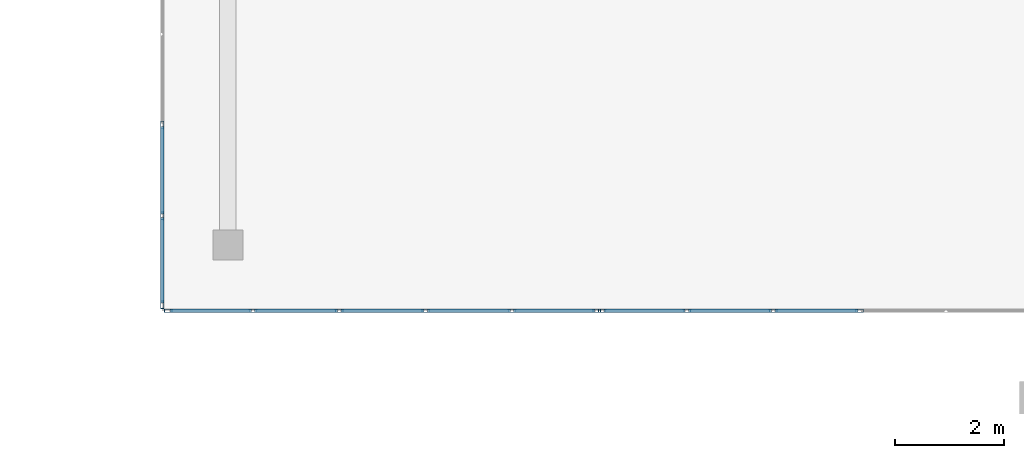
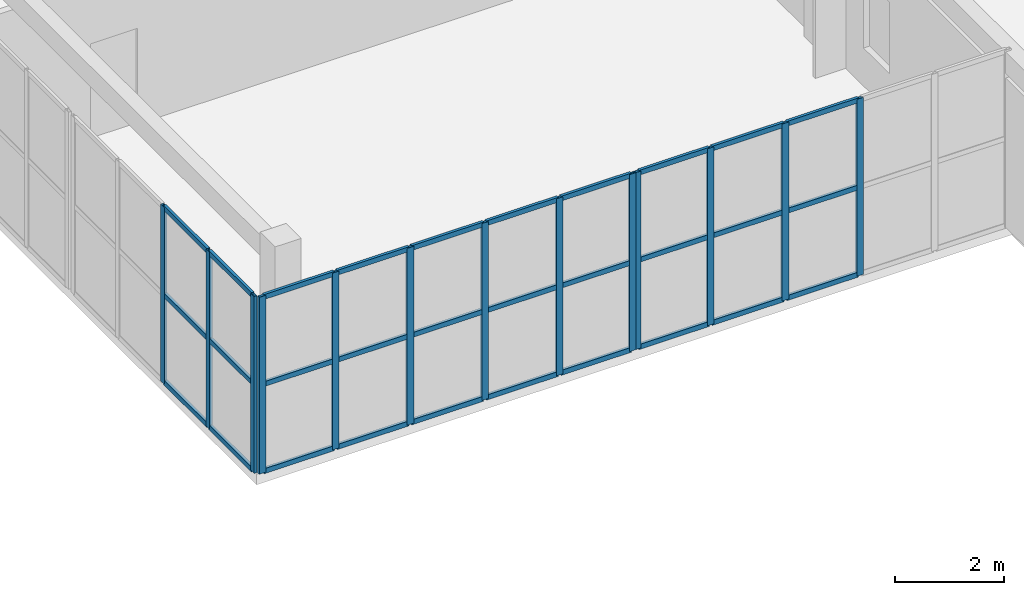
# One storey, part 14 of 81: 43 members, 3 elements without a shape of their own.
"""IFC4 building model written with IfcOpenShell, lengths in metres."""

from ifc_helpers import new_model, si_unit, direction, frame, origin, origin_2d, place, context, subcontext, project, spatial, hollow_rectangle, extrude, material, layer, layer_set, material_profile, profile_set, type_object, element, aggregate, save


model = new_model("IFC4")

# Units and contexts
model_context = context("Model", 3, precision=1e-05, world=origin(), true_north=direction((0.0, 1.0)))
body_context = subcontext(model_context, "Body", "Model", "MODEL_VIEW")
ifc_project = project(units=[si_unit("LENGTHUNIT", "METRE"), si_unit("AREAUNIT", "SQUARE_METRE"), si_unit("VOLUMEUNIT", "CUBIC_METRE"), si_unit("PLANEANGLEUNIT", "RADIAN"), si_unit("MASSUNIT", "GRAM", prefix="KILO")], contexts=[model_context])

# Site, building, storey
site_placement = place(None, origin())
site = spatial("IfcSite", under=ifc_project, at=site_placement, CompositionType="ELEMENT")
building_placement = place(site_placement, origin())
building = spatial("IfcBuilding", under=site, at=building_placement, Name="Trelvath General Hospital", CompositionType="ELEMENT")
storey_placement = place(building_placement, frame((0.0, 0.0, 24.60009765625)))
storey = spatial("IfcBuildingStorey", under=building, at=storey_placement, Name="L06", CompositionType="ELEMENT", Elevation=24.60009765625)

# Curtain wall, members
ifc_material_1 = material(Name="Anodised aluminium and low-E glass", Category="aluminium")
ifc_layer_1 = layer(ifc_material_1, 0.139892578125)
ifc_layer_set_1 = layer_set([ifc_layer_1], Name="Anodised aluminium and low-E glass")
curtain_wall_type_1 = type_object("IfcCurtainWallType", Name="CW CrystalCube 790 396 14", PredefinedType="USERDEFINED", material=ifc_layer_set_1)
curtain_wall_1_placement = place(storey_placement, origin())
curtain_wall_1 = element("IfcCurtainWall", 1, at=curtain_wall_1_placement, inside=storey, type_object=curtain_wall_type_1, Name="Crystal Cube Curtain Wall CUBE-W-T2 S1 L06", ObjectType="Unitised Glazed Curtain Wall", PredefinedType="USERDEFINED")
ifc_material_2 = material(Name="Anodised aluminium", Category="aluminium")
ifc_material_profile_1 = material_profile(ifc_material_2, hollow_rectangle(XDim=0.06005859375, YDim=0.139892578125, WallThickness=0.00390625, at=origin_2d()), Name="RHS60x140x4")
ifc_profile_set_1 = profile_set([ifc_material_profile_1], Name="Anodised aluminium")
member_type_1 = type_object("IfcMemberType", Name="CurtainMullion 60x140", PredefinedType="MULLION", material=ifc_profile_set_1)
member_1_placement = place(storey_placement, frame((67.550048828125, 43.60009765625, 0.0), z_axis=(0.0, 0.0, 1.0), x_axis=(0.0, -1.0, 0.0)))
member_1 = element("IfcMember", 2, at=member_1_placement, type_object=member_type_1, Name="CW-324 mullion 1", PredefinedType="MULLION", context=body_context, shape_type="SweptSolid", body=[
    extrude(hollow_rectangle(XDim=0.06005859375, YDim=0.139892578125, WallThickness=0.00390625, at=origin_2d()), origin(), (0.0, 0.0, 1.0), 3.9599609375),
])
member_2_placement = place(storey_placement, frame((66.0, 43.60009765625, 0.0), z_axis=(0.0, 0.0, 1.0), x_axis=(0.0, -1.0, 0.0)))
member_2 = element("IfcMember", 3, at=member_2_placement, type_object=member_type_1, Name="CW-324 mullion 2", PredefinedType="MULLION", context=body_context, shape_type="SweptSolid", body=[
    extrude(hollow_rectangle(XDim=0.06005859375, YDim=0.139892578125, WallThickness=0.00390625, at=origin_2d()), origin(), (0.0, 0.0, 1.0), 3.9599609375),
])
member_3_placement = place(storey_placement, frame((64.419921875, 43.60009765625, 0.0), z_axis=(0.0, 0.0, 1.0), x_axis=(0.0, -1.0, 0.0)))
member_3 = element("IfcMember", 4, at=member_3_placement, type_object=member_type_1, Name="CW-324 mullion 3", PredefinedType="MULLION", context=body_context, shape_type="SweptSolid", body=[
    extrude(hollow_rectangle(XDim=0.06005859375, YDim=0.139892578125, WallThickness=0.00390625, at=origin_2d()), origin(), (0.0, 0.0, 1.0), 3.9599609375),
])
member_4_placement = place(storey_placement, frame((62.840087890625, 43.60009765625, 0.0), z_axis=(0.0, 0.0, 1.0), x_axis=(0.0, -1.0, 0.0)))
member_4 = element("IfcMember", 5, at=member_4_placement, type_object=member_type_1, Name="CW-324 mullion 4", PredefinedType="MULLION", context=body_context, shape_type="SweptSolid", body=[
    extrude(hollow_rectangle(XDim=0.06005859375, YDim=0.139892578125, WallThickness=0.00390625, at=origin_2d()), origin(), (0.0, 0.0, 1.0), 3.9599609375),
])
member_5_placement = place(storey_placement, frame((61.260009765625, 43.60009765625, 0.0), z_axis=(0.0, 0.0, 1.0), x_axis=(0.0, -1.0, 0.0)))
member_5 = element("IfcMember", 6, at=member_5_placement, type_object=member_type_1, Name="CW-324 mullion 5", PredefinedType="MULLION", context=body_context, shape_type="SweptSolid", body=[
    extrude(hollow_rectangle(XDim=0.06005859375, YDim=0.139892578125, WallThickness=0.00390625, at=origin_2d()), origin(), (0.0, 0.0, 1.0), 3.9599609375),
])
member_6_placement = place(storey_placement, frame((59.7099609375, 43.60009765625, 0.0), z_axis=(0.0, 0.0, 1.0), x_axis=(0.0, -1.0, 0.0)))
member_6 = element("IfcMember", 7, at=member_6_placement, type_object=member_type_1, Name="CW-324 mullion 6", PredefinedType="MULLION", context=body_context, shape_type="SweptSolid", body=[
    extrude(hollow_rectangle(XDim=0.06005859375, YDim=0.139892578125, WallThickness=0.00390625, at=origin_2d()), origin(), (0.0, 0.0, 1.0), 3.9599609375),
])

curtain_wall_2_placement = place(storey_placement, origin())
curtain_wall_2 = element("IfcCurtainWall", 8, at=curtain_wall_2_placement, inside=storey, type_object=curtain_wall_type_1, Name="Crystal Cube Curtain Wall CUBE-W-T2 S2 L06", ObjectType="Unitised Glazed Curtain Wall", PredefinedType="USERDEFINED")
member_7_placement = place(storey_placement, frame((72.360107421875, 43.60009765625, 0.0), z_axis=(0.0, 0.0, 1.0), x_axis=(0.0, -1.0, 0.0)))
member_7 = element("IfcMember", 9, at=member_7_placement, type_object=member_type_1, Name="CW-325 mullion 3", PredefinedType="MULLION", context=body_context, shape_type="SweptSolid", body=[
    extrude(hollow_rectangle(XDim=0.06005859375, YDim=0.139892578125, WallThickness=0.00390625, at=origin_2d()), origin(), (0.0, 0.0, 1.0), 3.9599609375),
])
member_8_placement = place(storey_placement, frame((70.780029296875, 43.60009765625, 0.0), z_axis=(0.0, 0.0, 1.0), x_axis=(0.0, -1.0, 0.0)))
member_8 = element("IfcMember", 10, at=member_8_placement, type_object=member_type_1, Name="CW-325 mullion 4", PredefinedType="MULLION", context=body_context, shape_type="SweptSolid", body=[
    extrude(hollow_rectangle(XDim=0.06005859375, YDim=0.139892578125, WallThickness=0.00390625, at=origin_2d()), origin(), (0.0, 0.0, 1.0), 3.9599609375),
])
member_9_placement = place(storey_placement, frame((69.199951171875, 43.60009765625, 0.0), z_axis=(0.0, 0.0, 1.0), x_axis=(0.0, -1.0, 0.0)))
member_9 = element("IfcMember", 11, at=member_9_placement, type_object=member_type_1, Name="CW-325 mullion 5", PredefinedType="MULLION", context=body_context, shape_type="SweptSolid", body=[
    extrude(hollow_rectangle(XDim=0.06005859375, YDim=0.139892578125, WallThickness=0.00390625, at=origin_2d()), origin(), (0.0, 0.0, 1.0), 3.9599609375),
])
member_10_placement = place(storey_placement, frame((67.64990234375, 43.60009765625, 0.0), z_axis=(0.0, 0.0, 1.0), x_axis=(0.0, -1.0, 0.0)))
member_10 = element("IfcMember", 12, at=member_10_placement, type_object=member_type_1, Name="CW-325 mullion 6", PredefinedType="MULLION", context=body_context, shape_type="SweptSolid", body=[
    extrude(hollow_rectangle(XDim=0.06005859375, YDim=0.139892578125, WallThickness=0.00390625, at=origin_2d()), origin(), (0.0, 0.0, 1.0), 3.9599609375),
])

ifc_material_3 = material(Name="Anodised aluminium and low-E glass", Category="aluminium")
ifc_layer_2 = layer(ifc_material_3, 0.139892578125)
ifc_layer_set_2 = layer_set([ifc_layer_2], Name="Anodised aluminium and low-E glass")
curtain_wall_type_2 = type_object("IfcCurtainWallType", Name="CW CrystalCube 664 396 14", PredefinedType="USERDEFINED", material=ifc_layer_set_2)
curtain_wall_3_placement = place(storey_placement, origin())
curtain_wall_3 = element("IfcCurtainWall", 13, at=curtain_wall_3_placement, inside=storey, type_object=curtain_wall_type_2, Name="Crystal Cube Curtain Wall CUBE-W-T2 W1 L06", ObjectType="Unitised Glazed Curtain Wall", PredefinedType="USERDEFINED")
member_11_placement = place(storey_placement, frame((59.60009765625, 43.7099609375, 0.0), z_axis=(0.0, 0.0, 1.0), x_axis=(-1.0, 0.0, 0.0)))
member_11 = element("IfcMember", 14, at=member_11_placement, type_object=member_type_1, Name="CW-328 mullion 1", PredefinedType="MULLION", context=body_context, shape_type="SweptSolid", body=[
    extrude(hollow_rectangle(XDim=0.06005859375, YDim=0.139892578125, WallThickness=0.00390625, at=origin_2d()), origin(), (0.0, 0.0, 1.0), 3.9599609375),
])
member_12_placement = place(storey_placement, frame((59.60009765625, 45.340087890625, 0.0), z_axis=(0.0, 0.0, 1.0), x_axis=(-1.0, 0.0, 0.0)))
member_12 = element("IfcMember", 15, at=member_12_placement, type_object=member_type_1, Name="CW-328 mullion 2", PredefinedType="MULLION", context=body_context, shape_type="SweptSolid", body=[
    extrude(hollow_rectangle(XDim=0.06005859375, YDim=0.139892578125, WallThickness=0.00390625, at=origin_2d()), origin(), (0.0, 0.0, 1.0), 3.9599609375),
])
member_13_placement = place(storey_placement, frame((59.60009765625, 47.0, 0.0), z_axis=(0.0, 0.0, 1.0), x_axis=(-1.0, 0.0, 0.0)))
member_13 = element("IfcMember", 16, at=member_13_placement, type_object=member_type_1, Name="CW-328 mullion 3", PredefinedType="MULLION", context=body_context, shape_type="SweptSolid", body=[
    extrude(hollow_rectangle(XDim=0.06005859375, YDim=0.139892578125, WallThickness=0.00390625, at=origin_2d()), origin(), (0.0, 0.0, 1.0), 3.9599609375),
])

# Member
ifc_material_4 = material(Name="Anodised aluminium", Category="aluminium")
ifc_material_profile_2 = material_profile(ifc_material_4, hollow_rectangle(XDim=0.06005859375, YDim=0.110107421875, WallThickness=0.00390625, at=origin_2d()), Name="RHS60x110x4")
ifc_profile_set_2 = profile_set([ifc_material_profile_2], Name="Anodised aluminium")
member_type_2 = type_object("IfcMemberType", Name="CurtainTransom 60x110", PredefinedType="USERDEFINED", material=ifc_profile_set_2)
member_14_placement = place(storey_placement, frame((67.52001953125, 43.60009765625, 0.02978515625), z_axis=(-1.0, 0.0, 0.0), x_axis=(0.0, -1.0, 0.0)))
member_14 = element("IfcMember", 17, at=member_14_placement, type_object=member_type_2, Name="CW-324 transom 1.1", ObjectType="TRANSOM", PredefinedType="USERDEFINED", context=body_context, shape_type="SweptSolid", body=[
    extrude(hollow_rectangle(XDim=0.06005859375, YDim=0.110107421875, WallThickness=0.00390625, at=origin_2d()), origin(), (0.0, 0.0, 1.0), 1.489990234375),
])

member_15_placement = place(storey_placement, frame((67.52001953125, 43.60009765625, 1.97998046875), z_axis=(-1.0, 0.0, 0.0), x_axis=(0.0, -1.0, 0.0)))
member_15 = element("IfcMember", 18, at=member_15_placement, type_object=member_type_2, Name="CW-324 transom 1.2", ObjectType="TRANSOM", PredefinedType="USERDEFINED", context=body_context, shape_type="SweptSolid", body=[
    extrude(hollow_rectangle(XDim=0.06005859375, YDim=0.110107421875, WallThickness=0.00390625, at=origin_2d()), origin(), (0.0, 0.0, 1.0), 1.489990234375),
])

member_16_placement = place(storey_placement, frame((67.52001953125, 43.60009765625, 3.929931640625), z_axis=(-1.0, 0.0, 0.0), x_axis=(0.0, -1.0, 0.0)))
member_16 = element("IfcMember", 19, at=member_16_placement, type_object=member_type_2, Name="CW-324 transom 1.3", ObjectType="TRANSOM", PredefinedType="USERDEFINED", context=body_context, shape_type="SweptSolid", body=[
    extrude(hollow_rectangle(XDim=0.06005859375, YDim=0.110107421875, WallThickness=0.00390625, at=origin_2d()), origin(), (0.0, 0.0, 1.0), 1.489990234375),
])

member_17_placement = place(storey_placement, frame((65.969970703125, 43.60009765625, 0.02978515625), z_axis=(-1.0, 0.0, 0.0), x_axis=(0.0, -1.0, 0.0)))
member_17 = element("IfcMember", 20, at=member_17_placement, type_object=member_type_2, Name="CW-324 transom 2.1", ObjectType="TRANSOM", PredefinedType="USERDEFINED", context=body_context, shape_type="SweptSolid", body=[
    extrude(hollow_rectangle(XDim=0.06005859375, YDim=0.110107421875, WallThickness=0.00390625, at=origin_2d()), origin(), (0.0, 0.0, 1.0), 1.52001953125),
])

member_18_placement = place(storey_placement, frame((65.969970703125, 43.60009765625, 1.97998046875), z_axis=(-1.0, 0.0, 0.0), x_axis=(0.0, -1.0, 0.0)))
member_18 = element("IfcMember", 21, at=member_18_placement, type_object=member_type_2, Name="CW-324 transom 2.2", ObjectType="TRANSOM", PredefinedType="USERDEFINED", context=body_context, shape_type="SweptSolid", body=[
    extrude(hollow_rectangle(XDim=0.06005859375, YDim=0.110107421875, WallThickness=0.00390625, at=origin_2d()), origin(), (0.0, 0.0, 1.0), 1.52001953125),
])

member_19_placement = place(storey_placement, frame((65.969970703125, 43.60009765625, 3.929931640625), z_axis=(-1.0, 0.0, 0.0), x_axis=(0.0, -1.0, 0.0)))
member_19 = element("IfcMember", 22, at=member_19_placement, type_object=member_type_2, Name="CW-324 transom 2.3", ObjectType="TRANSOM", PredefinedType="USERDEFINED", context=body_context, shape_type="SweptSolid", body=[
    extrude(hollow_rectangle(XDim=0.06005859375, YDim=0.110107421875, WallThickness=0.00390625, at=origin_2d()), origin(), (0.0, 0.0, 1.0), 1.52001953125),
])

member_20_placement = place(storey_placement, frame((64.389892578125, 43.60009765625, 0.02978515625), z_axis=(-1.0, 0.0, 0.0), x_axis=(0.0, -1.0, 0.0)))
member_20 = element("IfcMember", 23, at=member_20_placement, type_object=member_type_2, Name="CW-324 transom 3.1", ObjectType="TRANSOM", PredefinedType="USERDEFINED", context=body_context, shape_type="SweptSolid", body=[
    extrude(hollow_rectangle(XDim=0.06005859375, YDim=0.110107421875, WallThickness=0.00390625, at=origin_2d()), origin(), (0.0, 0.0, 1.0), 1.519775390625),
])

member_21_placement = place(storey_placement, frame((64.389892578125, 43.60009765625, 1.97998046875), z_axis=(-1.0, 0.0, 0.0), x_axis=(0.0, -1.0, 0.0)))
member_21 = element("IfcMember", 24, at=member_21_placement, type_object=member_type_2, Name="CW-324 transom 3.2", ObjectType="TRANSOM", PredefinedType="USERDEFINED", context=body_context, shape_type="SweptSolid", body=[
    extrude(hollow_rectangle(XDim=0.06005859375, YDim=0.110107421875, WallThickness=0.00390625, at=origin_2d()), origin(), (0.0, 0.0, 1.0), 1.519775390625),
])

member_22_placement = place(storey_placement, frame((64.389892578125, 43.60009765625, 3.929931640625), z_axis=(-1.0, 0.0, 0.0), x_axis=(0.0, -1.0, 0.0)))
member_22 = element("IfcMember", 25, at=member_22_placement, type_object=member_type_2, Name="CW-324 transom 3.3", ObjectType="TRANSOM", PredefinedType="USERDEFINED", context=body_context, shape_type="SweptSolid", body=[
    extrude(hollow_rectangle(XDim=0.06005859375, YDim=0.110107421875, WallThickness=0.00390625, at=origin_2d()), origin(), (0.0, 0.0, 1.0), 1.519775390625),
])

member_23_placement = place(storey_placement, frame((62.81005859375, 43.60009765625, 0.02978515625), z_axis=(-1.0, 0.0, 0.0), x_axis=(0.0, -1.0, 0.0)))
member_23 = element("IfcMember", 26, at=member_23_placement, type_object=member_type_2, Name="CW-324 transom 4.1", ObjectType="TRANSOM", PredefinedType="USERDEFINED", context=body_context, shape_type="SweptSolid", body=[
    extrude(hollow_rectangle(XDim=0.06005859375, YDim=0.110107421875, WallThickness=0.00390625, at=origin_2d()), origin(), (0.0, 0.0, 1.0), 1.52001953125),
])

member_24_placement = place(storey_placement, frame((62.81005859375, 43.60009765625, 1.97998046875), z_axis=(-1.0, 0.0, 0.0), x_axis=(0.0, -1.0, 0.0)))
member_24 = element("IfcMember", 27, at=member_24_placement, type_object=member_type_2, Name="CW-324 transom 4.2", ObjectType="TRANSOM", PredefinedType="USERDEFINED", context=body_context, shape_type="SweptSolid", body=[
    extrude(hollow_rectangle(XDim=0.06005859375, YDim=0.110107421875, WallThickness=0.00390625, at=origin_2d()), origin(), (0.0, 0.0, 1.0), 1.52001953125),
])

member_25_placement = place(storey_placement, frame((62.81005859375, 43.60009765625, 3.929931640625), z_axis=(-1.0, 0.0, 0.0), x_axis=(0.0, -1.0, 0.0)))
member_25 = element("IfcMember", 28, at=member_25_placement, type_object=member_type_2, Name="CW-324 transom 4.3", ObjectType="TRANSOM", PredefinedType="USERDEFINED", context=body_context, shape_type="SweptSolid", body=[
    extrude(hollow_rectangle(XDim=0.06005859375, YDim=0.110107421875, WallThickness=0.00390625, at=origin_2d()), origin(), (0.0, 0.0, 1.0), 1.52001953125),
])

member_26_placement = place(storey_placement, frame((61.22998046875, 43.60009765625, 0.02978515625), z_axis=(-1.0, 0.0, 0.0), x_axis=(0.0, -1.0, 0.0)))
member_26 = element("IfcMember", 29, at=member_26_placement, type_object=member_type_2, Name="CW-324 transom 5.1", ObjectType="TRANSOM", PredefinedType="USERDEFINED", context=body_context, shape_type="SweptSolid", body=[
    extrude(hollow_rectangle(XDim=0.06005859375, YDim=0.110107421875, WallThickness=0.00390625, at=origin_2d()), origin(), (0.0, 0.0, 1.0), 1.489990234375),
])

member_27_placement = place(storey_placement, frame((61.22998046875, 43.60009765625, 1.97998046875), z_axis=(-1.0, 0.0, 0.0), x_axis=(0.0, -1.0, 0.0)))
member_27 = element("IfcMember", 30, at=member_27_placement, type_object=member_type_2, Name="CW-324 transom 5.2", ObjectType="TRANSOM", PredefinedType="USERDEFINED", context=body_context, shape_type="SweptSolid", body=[
    extrude(hollow_rectangle(XDim=0.06005859375, YDim=0.110107421875, WallThickness=0.00390625, at=origin_2d()), origin(), (0.0, 0.0, 1.0), 1.489990234375),
])

member_28_placement = place(storey_placement, frame((61.22998046875, 43.60009765625, 3.929931640625), z_axis=(-1.0, 0.0, 0.0), x_axis=(0.0, -1.0, 0.0)))
member_28 = element("IfcMember", 31, at=member_28_placement, type_object=member_type_2, Name="CW-324 transom 5.3", ObjectType="TRANSOM", PredefinedType="USERDEFINED", context=body_context, shape_type="SweptSolid", body=[
    extrude(hollow_rectangle(XDim=0.06005859375, YDim=0.110107421875, WallThickness=0.00390625, at=origin_2d()), origin(), (0.0, 0.0, 1.0), 1.489990234375),
])

aggregate(curtain_wall_1, [member_1, member_2, member_3, member_4, member_5, member_6, member_14, member_15, member_16, member_17, member_18, member_19, member_20, member_21, member_22, member_23, member_24, member_25, member_26, member_27, member_28])

member_29_placement = place(storey_placement, frame((72.330078125, 43.60009765625, 0.02978515625), z_axis=(-1.0, 0.0, 0.0), x_axis=(0.0, -1.0, 0.0)))
member_29 = element("IfcMember", 32, at=member_29_placement, type_object=member_type_2, Name="CW-325 transom 3.1", ObjectType="TRANSOM", PredefinedType="USERDEFINED", context=body_context, shape_type="SweptSolid", body=[
    extrude(hollow_rectangle(XDim=0.06005859375, YDim=0.110107421875, WallThickness=0.00390625, at=origin_2d()), origin(), (0.0, 0.0, 1.0), 1.52001953125),
])

member_30_placement = place(storey_placement, frame((72.330078125, 43.60009765625, 1.97998046875), z_axis=(-1.0, 0.0, 0.0), x_axis=(0.0, -1.0, 0.0)))
member_30 = element("IfcMember", 33, at=member_30_placement, type_object=member_type_2, Name="CW-325 transom 3.2", ObjectType="TRANSOM", PredefinedType="USERDEFINED", context=body_context, shape_type="SweptSolid", body=[
    extrude(hollow_rectangle(XDim=0.06005859375, YDim=0.110107421875, WallThickness=0.00390625, at=origin_2d()), origin(), (0.0, 0.0, 1.0), 1.52001953125),
])

member_31_placement = place(storey_placement, frame((72.330078125, 43.60009765625, 3.929931640625), z_axis=(-1.0, 0.0, 0.0), x_axis=(0.0, -1.0, 0.0)))
member_31 = element("IfcMember", 34, at=member_31_placement, type_object=member_type_2, Name="CW-325 transom 3.3", ObjectType="TRANSOM", PredefinedType="USERDEFINED", context=body_context, shape_type="SweptSolid", body=[
    extrude(hollow_rectangle(XDim=0.06005859375, YDim=0.110107421875, WallThickness=0.00390625, at=origin_2d()), origin(), (0.0, 0.0, 1.0), 1.52001953125),
])

member_32_placement = place(storey_placement, frame((70.75, 43.60009765625, 0.02978515625), z_axis=(-1.0, 0.0, 0.0), x_axis=(0.0, -1.0, 0.0)))
member_32 = element("IfcMember", 35, at=member_32_placement, type_object=member_type_2, Name="CW-325 transom 4.1", ObjectType="TRANSOM", PredefinedType="USERDEFINED", context=body_context, shape_type="SweptSolid", body=[
    extrude(hollow_rectangle(XDim=0.06005859375, YDim=0.110107421875, WallThickness=0.00390625, at=origin_2d()), origin(), (0.0, 0.0, 1.0), 1.52001953125),
])

member_33_placement = place(storey_placement, frame((70.75, 43.60009765625, 1.97998046875), z_axis=(-1.0, 0.0, 0.0), x_axis=(0.0, -1.0, 0.0)))
member_33 = element("IfcMember", 36, at=member_33_placement, type_object=member_type_2, Name="CW-325 transom 4.2", ObjectType="TRANSOM", PredefinedType="USERDEFINED", context=body_context, shape_type="SweptSolid", body=[
    extrude(hollow_rectangle(XDim=0.06005859375, YDim=0.110107421875, WallThickness=0.00390625, at=origin_2d()), origin(), (0.0, 0.0, 1.0), 1.52001953125),
])

member_34_placement = place(storey_placement, frame((70.75, 43.60009765625, 3.929931640625), z_axis=(-1.0, 0.0, 0.0), x_axis=(0.0, -1.0, 0.0)))
member_34 = element("IfcMember", 37, at=member_34_placement, type_object=member_type_2, Name="CW-325 transom 4.3", ObjectType="TRANSOM", PredefinedType="USERDEFINED", context=body_context, shape_type="SweptSolid", body=[
    extrude(hollow_rectangle(XDim=0.06005859375, YDim=0.110107421875, WallThickness=0.00390625, at=origin_2d()), origin(), (0.0, 0.0, 1.0), 1.52001953125),
])

member_35_placement = place(storey_placement, frame((69.169921875, 43.60009765625, 0.02978515625), z_axis=(-1.0, 0.0, 0.0), x_axis=(0.0, -1.0, 0.0)))
member_35 = element("IfcMember", 38, at=member_35_placement, type_object=member_type_2, Name="CW-325 transom 5.1", ObjectType="TRANSOM", PredefinedType="USERDEFINED", context=body_context, shape_type="SweptSolid", body=[
    extrude(hollow_rectangle(XDim=0.06005859375, YDim=0.110107421875, WallThickness=0.00390625, at=origin_2d()), origin(), (0.0, 0.0, 1.0), 1.489990234375),
])

member_36_placement = place(storey_placement, frame((69.169921875, 43.60009765625, 1.97998046875), z_axis=(-1.0, 0.0, 0.0), x_axis=(0.0, -1.0, 0.0)))
member_36 = element("IfcMember", 39, at=member_36_placement, type_object=member_type_2, Name="CW-325 transom 5.2", ObjectType="TRANSOM", PredefinedType="USERDEFINED", context=body_context, shape_type="SweptSolid", body=[
    extrude(hollow_rectangle(XDim=0.06005859375, YDim=0.110107421875, WallThickness=0.00390625, at=origin_2d()), origin(), (0.0, 0.0, 1.0), 1.489990234375),
])

member_37_placement = place(storey_placement, frame((69.169921875, 43.60009765625, 3.929931640625), z_axis=(-1.0, 0.0, 0.0), x_axis=(0.0, -1.0, 0.0)))
member_37 = element("IfcMember", 40, at=member_37_placement, type_object=member_type_2, Name="CW-325 transom 5.3", ObjectType="TRANSOM", PredefinedType="USERDEFINED", context=body_context, shape_type="SweptSolid", body=[
    extrude(hollow_rectangle(XDim=0.06005859375, YDim=0.110107421875, WallThickness=0.00390625, at=origin_2d()), origin(), (0.0, 0.0, 1.0), 1.489990234375),
])

aggregate(curtain_wall_2, [member_7, member_8, member_9, member_10, member_29, member_30, member_31, member_32, member_33, member_34, member_35, member_36, member_37])

member_38_placement = place(storey_placement, frame((59.60009765625, 43.739990234375, 0.02978515625), z_axis=(0.0, 1.0, 0.0), x_axis=(-1.0, 0.0, 0.0)))
member_38 = element("IfcMember", 41, at=member_38_placement, type_object=member_type_2, Name="CW-328 transom 1.1", ObjectType="TRANSOM", PredefinedType="USERDEFINED", context=body_context, shape_type="SweptSolid", body=[
    extrude(hollow_rectangle(XDim=0.06005859375, YDim=0.110107421875, WallThickness=0.00390625, at=origin_2d()), origin(), (0.0, 0.0, 1.0), 1.570068359375),
])

member_39_placement = place(storey_placement, frame((59.60009765625, 43.739990234375, 1.97998046875), z_axis=(0.0, 1.0, 0.0), x_axis=(-1.0, 0.0, 0.0)))
member_39 = element("IfcMember", 42, at=member_39_placement, type_object=member_type_2, Name="CW-328 transom 1.2", ObjectType="TRANSOM", PredefinedType="USERDEFINED", context=body_context, shape_type="SweptSolid", body=[
    extrude(hollow_rectangle(XDim=0.06005859375, YDim=0.110107421875, WallThickness=0.00390625, at=origin_2d()), origin(), (0.0, 0.0, 1.0), 1.570068359375),
])

member_40_placement = place(storey_placement, frame((59.60009765625, 43.739990234375, 3.929931640625), z_axis=(0.0, 1.0, 0.0), x_axis=(-1.0, 0.0, 0.0)))
member_40 = element("IfcMember", 43, at=member_40_placement, type_object=member_type_2, Name="CW-328 transom 1.3", ObjectType="TRANSOM", PredefinedType="USERDEFINED", context=body_context, shape_type="SweptSolid", body=[
    extrude(hollow_rectangle(XDim=0.06005859375, YDim=0.110107421875, WallThickness=0.00390625, at=origin_2d()), origin(), (0.0, 0.0, 1.0), 1.570068359375),
])

member_41_placement = place(storey_placement, frame((59.60009765625, 45.3701171875, 0.02978515625), z_axis=(0.0, 1.0, 0.0), x_axis=(-1.0, 0.0, 0.0)))
member_41 = element("IfcMember", 44, at=member_41_placement, type_object=member_type_2, Name="CW-328 transom 2.1", ObjectType="TRANSOM", PredefinedType="USERDEFINED", context=body_context, shape_type="SweptSolid", body=[
    extrude(hollow_rectangle(XDim=0.06005859375, YDim=0.110107421875, WallThickness=0.00390625, at=origin_2d()), origin(), (0.0, 0.0, 1.0), 1.599853515625),
])

member_42_placement = place(storey_placement, frame((59.60009765625, 45.3701171875, 1.97998046875), z_axis=(0.0, 1.0, 0.0), x_axis=(-1.0, 0.0, 0.0)))
member_42 = element("IfcMember", 45, at=member_42_placement, type_object=member_type_2, Name="CW-328 transom 2.2", ObjectType="TRANSOM", PredefinedType="USERDEFINED", context=body_context, shape_type="SweptSolid", body=[
    extrude(hollow_rectangle(XDim=0.06005859375, YDim=0.110107421875, WallThickness=0.00390625, at=origin_2d()), origin(), (0.0, 0.0, 1.0), 1.599853515625),
])

member_43_placement = place(storey_placement, frame((59.60009765625, 45.3701171875, 3.929931640625), z_axis=(0.0, 1.0, 0.0), x_axis=(-1.0, 0.0, 0.0)))
member_43 = element("IfcMember", 46, at=member_43_placement, type_object=member_type_2, Name="CW-328 transom 2.3", ObjectType="TRANSOM", PredefinedType="USERDEFINED", context=body_context, shape_type="SweptSolid", body=[
    extrude(hollow_rectangle(XDim=0.06005859375, YDim=0.110107421875, WallThickness=0.00390625, at=origin_2d()), origin(), (0.0, 0.0, 1.0), 1.599853515625),
])

aggregate(curtain_wall_3, [member_11, member_12, member_13, member_38, member_39, member_40, member_41, member_42, member_43])

save(model, "model.ifc")
